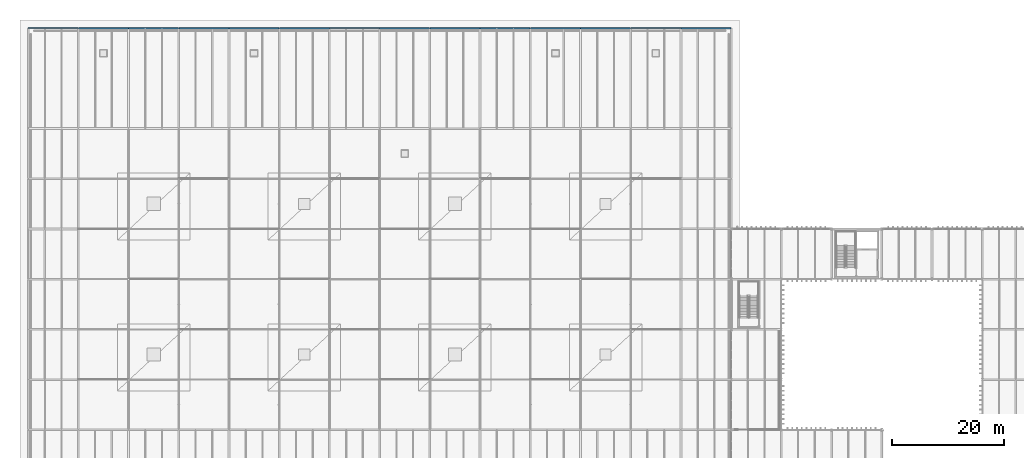
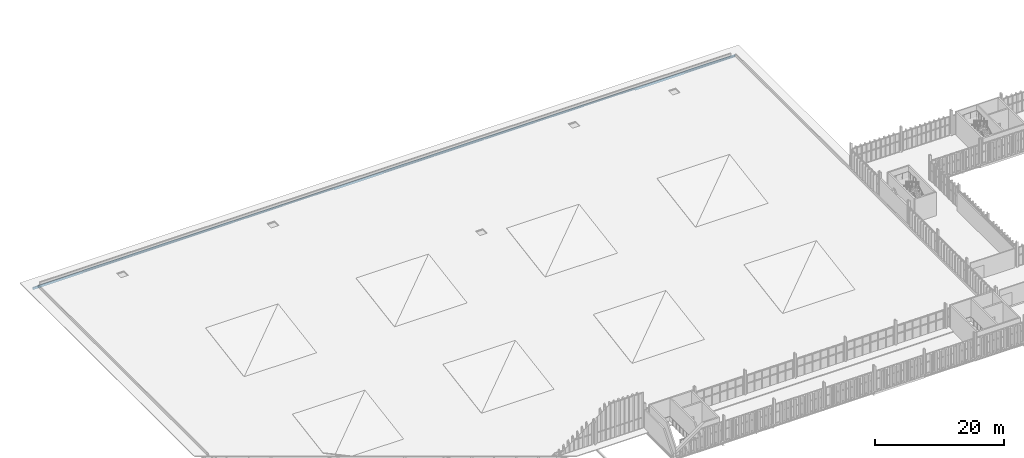
# One storey, part 156 of 196: 14 beams.
"""IFC4 building model written with IfcOpenShell, lengths in metres."""

from ifc_helpers import new_model, si_unit, direction, frame, origin, origin_2d, place, context, subcontext, project, spatial, hollow_rectangle, i_section, extrude, material, material_profile, profile_set, type_object, element, save


model = new_model("IFC4")

# Units and contexts
model_context = context("Model", 3, precision=1e-05, world=origin(), true_north=direction((0.0, 1.0)))
body_context = subcontext(model_context, "Body", "Model", "MODEL_VIEW")
ifc_project = project(units=[si_unit("LENGTHUNIT", "METRE"), si_unit("AREAUNIT", "SQUARE_METRE"), si_unit("VOLUMEUNIT", "CUBIC_METRE"), si_unit("PLANEANGLEUNIT", "RADIAN"), si_unit("MASSUNIT", "GRAM", prefix="KILO")], contexts=[model_context])

# Site, building, storey
site_placement = place(None, origin())
site = spatial("IfcSite", under=ifc_project, at=site_placement, CompositionType="ELEMENT")
building_placement = place(site_placement, origin())
building = spatial("IfcBuilding", under=site, at=building_placement, Name="Barlavento Convention Centre", CompositionType="ELEMENT")
storey_placement = place(building_placement, frame((0.0, 0.0, 18.0)))
storey = spatial("IfcBuildingStorey", under=building, at=storey_placement, Name="L03", CompositionType="ELEMENT", Elevation=18.0)

# Beams
ifc_material = material(Name="Steel S355", Category="steel")
ifc_material_profile_1 = material_profile(ifc_material, i_section(OverallWidth=0.239990234375, OverallDepth=0.22998046875, WebThickness=0.007568359375, FlangeThickness=0.011962890625, FilletRadius=0.02099609375, at=origin_2d()), Name="HEA 240")
ifc_profile_set_1 = profile_set([ifc_material_profile_1], Name="Steel S355")
beam_type_1 = type_object("IfcBeamType", Name="STR-BM-SPN-HEA240", PredefinedType="SPANDREL", material=ifc_profile_set_1)
for number, where, z_axis, x_axis, name in (
    (1, (45.02001953125, 135.0, -0.4599609375), (1.0, 0.0, 0.0), (0.0, 1.0, 0.0), "L03 primary girder SP05"),
    (2, (99.02001953125, 135.0, -0.4599609375), (1.0, 0.0, 0.0), (0.0, 1.0, 0.0), "L03 primary girder SP05"),
):
    element("IfcBeam", number, at=place(storey_placement, frame(where, z_axis=z_axis, x_axis=x_axis)), inside=storey, type_object=beam_type_1, Name=name, PredefinedType="SPANDREL", context=body_context, shape_type="SweptSolid", body=[
        extrude(i_section(OverallWidth=0.239990234375, OverallDepth=0.22998046875, WebThickness=0.007568359375, FlangeThickness=0.011962890625, FilletRadius=0.02099609375, at=origin_2d()), origin(), (0.0, 0.0, 1.0), 8.9599609375),
    ])
ifc_material_profile_2 = material_profile(ifc_material, i_section(OverallWidth=0.260009765625, OverallDepth=0.25, WebThickness=0.007568359375, FlangeThickness=0.012451171875, FilletRadius=0.02392578125, at=origin_2d()), Name="HEA 260")
ifc_profile_set_2 = profile_set([ifc_material_profile_2], Name="Steel S355")
beam_type_2 = type_object("IfcBeamType", Name="STR-BM-SPN-HEA260", PredefinedType="SPANDREL", material=ifc_profile_set_2)
for number, where, z_axis, x_axis, name in (
    (3, (36.02001953125, 135.0, -0.469970703125), (1.0, 0.0, 0.0), (0.0, 1.0, 0.0), "L03 primary girder SP04"),
    (4, (90.02001953125, 135.0, -0.469970703125), (1.0, 0.0, 0.0), (0.0, 1.0, 0.0), "L03 primary girder SP04"),
):
    element("IfcBeam", number, at=place(storey_placement, frame(where, z_axis=z_axis, x_axis=x_axis)), inside=storey, type_object=beam_type_2, Name=name, PredefinedType="SPANDREL", context=body_context, shape_type="SweptSolid", body=[
        extrude(i_section(OverallWidth=0.260009765625, OverallDepth=0.25, WebThickness=0.007568359375, FlangeThickness=0.012451171875, FilletRadius=0.02392578125, at=origin_2d()), origin(), (0.0, 0.0, 1.0), 8.9599609375),
    ])
ifc_material_profile_3 = material_profile(ifc_material, i_section(OverallWidth=0.280029296875, OverallDepth=0.27001953125, WebThickness=0.008056640625, FlangeThickness=0.012939453125, FilletRadius=0.02392578125, at=origin_2d()), Name="HEA 280")
ifc_profile_set_3 = profile_set([ifc_material_profile_3], Name="Steel S355")
beam_type_3 = type_object("IfcBeamType", Name="STR-BM-SPN-HEA280", PredefinedType="SPANDREL", material=ifc_profile_set_3)
for number, where, z_axis, x_axis, name in (
    (5, (27.02001953125, 135.0, -0.47998046875), (1.0, 0.0, 0.0), (0.0, 1.0, 0.0), "L03 primary girder SP03"),
    (6, (81.02001953125, 135.0, -0.47998046875), (1.0, 0.0, 0.0), (0.0, 1.0, 0.0), "L03 primary girder SP03"),
):
    element("IfcBeam", number, at=place(storey_placement, frame(where, z_axis=z_axis, x_axis=x_axis)), inside=storey, type_object=beam_type_3, Name=name, PredefinedType="SPANDREL", context=body_context, shape_type="SweptSolid", body=[
        extrude(i_section(OverallWidth=0.280029296875, OverallDepth=0.27001953125, WebThickness=0.008056640625, FlangeThickness=0.012939453125, FilletRadius=0.02392578125, at=origin_2d()), origin(), (0.0, 0.0, 1.0), 8.9599609375),
    ])
ifc_material_profile_4 = material_profile(ifc_material, i_section(OverallWidth=0.300048828125, OverallDepth=0.2900390625, WebThickness=0.008544921875, FlangeThickness=0.013916015625, FilletRadius=0.027099609375, at=origin_2d()), Name="HEA 300")
ifc_profile_set_4 = profile_set([ifc_material_profile_4], Name="Steel S355")
beam_type_4 = type_object("IfcBeamType", Name="STR-BM-SPN-HEA300", PredefinedType="SPANDREL", material=ifc_profile_set_4)
for number, where, z_axis, x_axis, name in (
    (7, (18.02001953125, 135.0, -0.489990234375), (1.0, 0.0, 0.0), (0.0, 1.0, 0.0), "L03 primary girder SP02"),
    (8, (72.02001953125, 135.0, -0.489990234375), (1.0, 0.0, 0.0), (0.0, 1.0, 0.0), "L03 primary girder SP02"),
):
    element("IfcBeam", number, at=place(storey_placement, frame(where, z_axis=z_axis, x_axis=x_axis)), inside=storey, type_object=beam_type_4, Name=name, PredefinedType="SPANDREL", context=body_context, shape_type="SweptSolid", body=[
        extrude(i_section(OverallWidth=0.300048828125, OverallDepth=0.2900390625, WebThickness=0.008544921875, FlangeThickness=0.013916015625, FilletRadius=0.027099609375, at=origin_2d()), origin(), (0.0, 0.0, 1.0), 8.9599609375),
    ])
ifc_material_profile_5 = material_profile(ifc_material, i_section(OverallWidth=0.300048828125, OverallDepth=0.31005859375, WebThickness=0.009033203125, FlangeThickness=0.015380859375, FilletRadius=0.027099609375, at=origin_2d()), Name="HEA 320")
ifc_profile_set_5 = profile_set([ifc_material_profile_5], Name="Steel S355")
beam_type_5 = type_object("IfcBeamType", Name="STR-BM-SPN-HEA320", PredefinedType="SPANDREL", material=ifc_profile_set_5)
for number, where, z_axis, x_axis, name in (
    (9, (9.02001953125, 135.0, -0.5), (1.0, 0.0, 0.0), (0.0, 1.0, 0.0), "L03 primary girder SP01"),
    (10, (63.02001953125, 135.0, -0.5), (1.0, 0.0, 0.0), (0.0, 1.0, 0.0), "L03 primary girder SP01"),
    (11, (117.02001953125, 135.0, -0.5), (1.0, 0.0, 0.0), (0.0, 1.0, 0.0), "L03 primary girder SP01"),
):
    element("IfcBeam", number, at=place(storey_placement, frame(where, z_axis=z_axis, x_axis=x_axis)), inside=storey, type_object=beam_type_5, Name=name, PredefinedType="SPANDREL", context=body_context, shape_type="SweptSolid", body=[
        extrude(i_section(OverallWidth=0.300048828125, OverallDepth=0.31005859375, WebThickness=0.009033203125, FlangeThickness=0.015380859375, FilletRadius=0.027099609375, at=origin_2d()), origin(), (0.0, 0.0, 1.0), 8.9599609375),
    ])
ifc_material_profile_6 = material_profile(ifc_material, hollow_rectangle(XDim=0.199951171875, YDim=0.39990234375, WallThickness=0.01611328125, at=origin_2d()), Name="RHS 400x200x16.0")
ifc_profile_set_6 = profile_set([ifc_material_profile_6], Name="Steel S355")
beam_type_6 = type_object("IfcBeamType", Name="STR-BM-SPN-RHS400", PredefinedType="SPANDREL", material=ifc_profile_set_6)
for number, where, z_axis, x_axis, name in (
    (12, (0.02001953125, 135.0, -0.544921875), (1.0, 0.0, 0.0), (0.0, 1.0, 0.0), "L03 primary girder SP06"),
    (13, (54.02001953125, 135.0, -0.544921875), (1.0, 0.0, 0.0), (0.0, 1.0, 0.0), "L03 primary girder SP06"),
    (14, (108.02001953125, 135.0, -0.544921875), (1.0, 0.0, 0.0), (0.0, 1.0, 0.0), "L03 primary girder SP06"),
):
    element("IfcBeam", number, at=place(storey_placement, frame(where, z_axis=z_axis, x_axis=x_axis)), inside=storey, type_object=beam_type_6, Name=name, PredefinedType="SPANDREL", context=body_context, shape_type="SweptSolid", body=[
        extrude(hollow_rectangle(XDim=0.199951171875, YDim=0.39990234375, WallThickness=0.01611328125, at=origin_2d()), origin(), (0.0, 0.0, 1.0), 8.9599609375),
    ])

save(model, "model.ifc")
